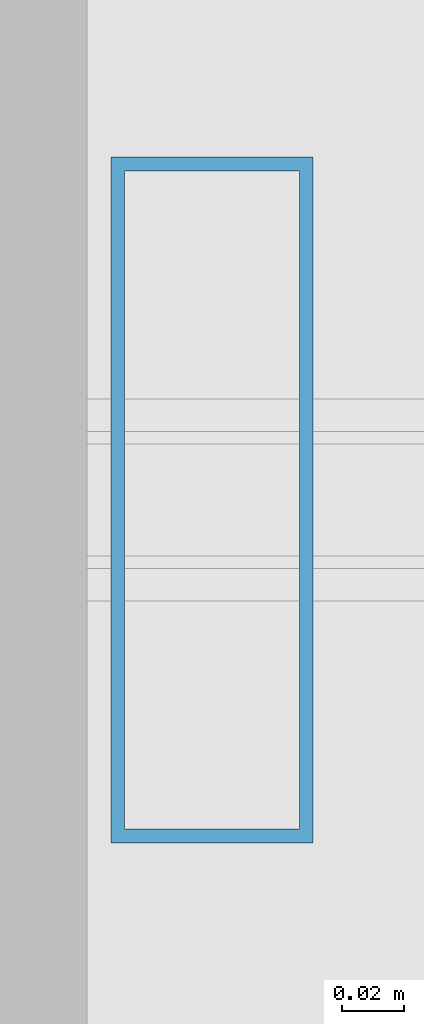
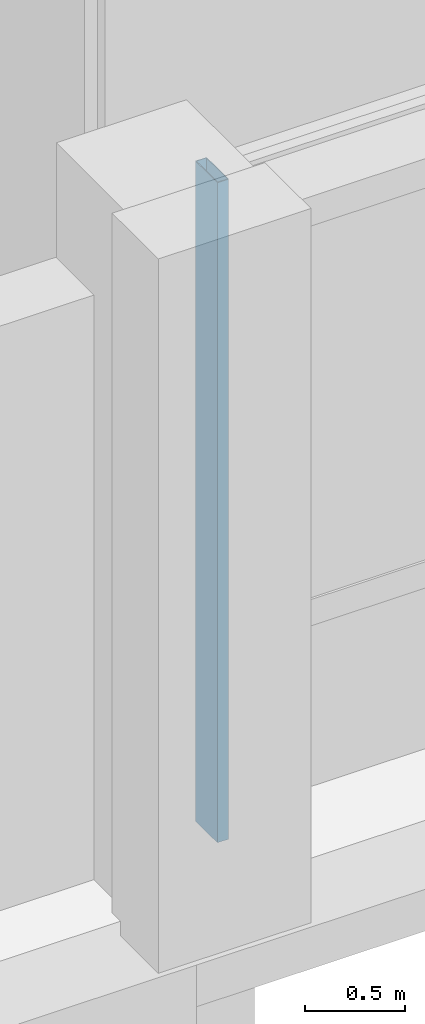
# One storey, part 22 of 64: 1 member, 1 element without a shape of its own.
"""IFC4 building model written with IfcOpenShell, lengths in metres."""

from ifc_helpers import new_model, si_unit, direction, frame, origin, origin_2d, place, context, subcontext, project, spatial, hollow_rectangle, extrude, material, material_profile, profile_set, type_object, element, aggregate, save


model = new_model("IFC4")

# Units and contexts
model_context = context("Model", 3, precision=1e-05, world=origin(), true_north=direction((0.0, 1.0)))
body_context = subcontext(model_context, "Body", "Model", "MODEL_VIEW")
ifc_project = project(units=[si_unit("LENGTHUNIT", "METRE"), si_unit("AREAUNIT", "SQUARE_METRE"), si_unit("VOLUMEUNIT", "CUBIC_METRE"), si_unit("PLANEANGLEUNIT", "RADIAN"), si_unit("MASSUNIT", "GRAM", prefix="KILO")], contexts=[model_context])

# Site, building, storey
site_placement = place(None, origin())
site = spatial("IfcSite", under=ifc_project, at=site_placement, CompositionType="ELEMENT")
building_placement = place(site_placement, origin())
building = spatial("IfcBuilding", under=site, at=building_placement, Name="Akrevak Sports Hall", CompositionType="ELEMENT")
storey_placement = place(building_placement, frame((0.0, 0.0, 4.60009765625)))
storey = spatial("IfcBuildingStorey", under=building, at=storey_placement, Name="L01", CompositionType="ELEMENT", Elevation=4.60009765625)

# Curtain wall, member
ifc_material_1 = material(Name="Anodized Bronze Aluminium & Low-E Glass", Category="aluminium")
curtain_wall_type = type_object("IfcCurtainWallType", Name="ARC-CW-POD-70x42", PredefinedType="NOTDEFINED", material=ifc_material_1)
curtain_wall_placement = place(storey_placement, origin())
curtain_wall = element("IfcCurtainWall", 1, at=curtain_wall_placement, inside=storey, type_object=curtain_wall_type, Name="Curtain Wall CW-L01-S13", PredefinedType="NOTDEFINED")
ifc_material_2 = material(Name="Anodized Bronze Aluminium", Category="aluminium")
ifc_material_profile = material_profile(ifc_material_2, hollow_rectangle(XDim=0.06494140625, YDim=0.219970703125, WallThickness=0.00439453125, at=origin_2d()), Name="CWM 65x220", Category="aluminium")
ifc_profile_set = profile_set([ifc_material_profile], Name="Anodized Bronze Aluminium")
member_type = type_object("IfcMemberType", Name="ARC-CWM-70x160", PredefinedType="MULLION", material=ifc_profile_set)
member_placement = place(storey_placement, frame((108.4150390625, 0.18994140625, 0.0), z_axis=(0.0, 0.0, 1.0), x_axis=(1.0, 0.0, 0.0)))
member = element("IfcMember", 2, at=member_placement, type_object=member_type, Name="Curtain Wall Mullion CW-L01-S13-M1", PredefinedType="MULLION", context=body_context, shape_type="SweptSolid", body=[
    extrude(hollow_rectangle(XDim=0.06494140625, YDim=0.219970703125, WallThickness=0.00439453125, at=origin_2d()), origin(), (0.0, 0.0, 1.0), 4.02001953125),
])
aggregate(curtain_wall, [member])

save(model, "model.ifc")
